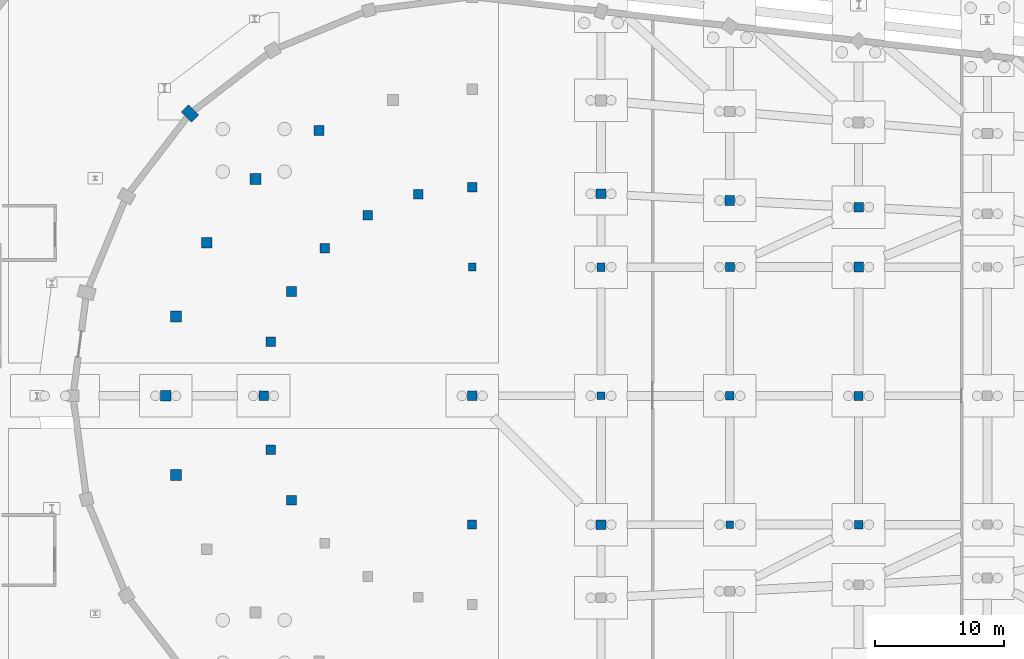
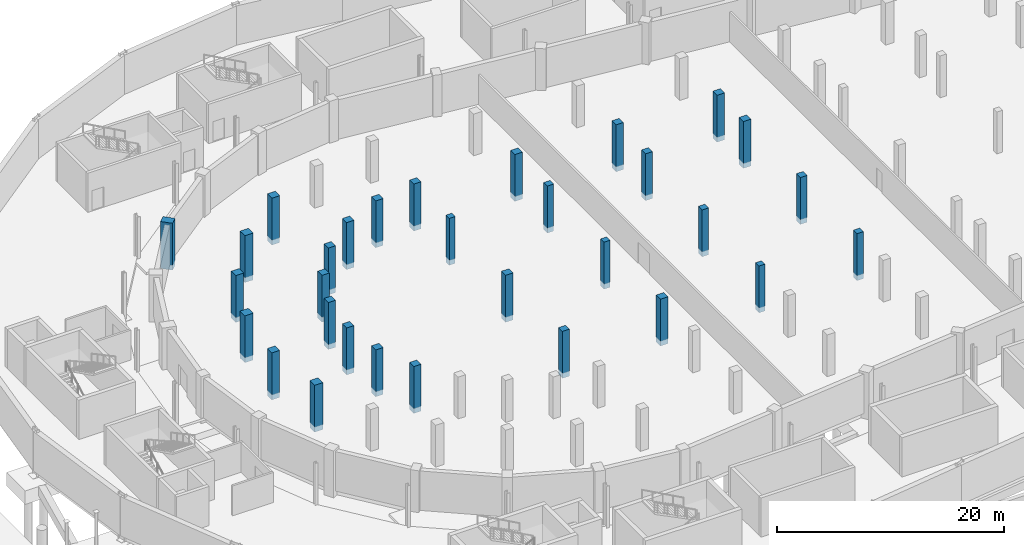
# One storey, part 22 of 55: 31 columns.
"""IFC4 building model written with IfcOpenShell, lengths in metres."""

import ifcopenshell
import ifcopenshell.guid

model = None  # the IFC model being written
_history = None  # IfcOwnerHistory: only IFC2X3 demands one
_inside = {}  # id of a spatial element -> (the spatial element, [elements in it])
_under = {}  # id of a project, library or spatial element -> (it, [spatial elements below it])
_declared = {}  # id of a project -> (the project, [libraries it declares])
_typed = {}  # id of a type object -> (the type object, [elements of that type])
_made_of = {}  # id of a material, layer set ... -> (it, [elements and type objects made of it])


def new_model(schema):
    """Start an empty IFC model of exactly this schema.

    Asked for "IFC4X3", IfcOpenShell would pick the latest addendum, in which some entities
    have other attributes; the version numbers below select the first issue.
    IFC2X3 requires an IfcOwnerHistory on every rooted entity: one is made here for all.
    """
    global model, _history
    if schema == "IFC4X3":
        model = ifcopenshell.file(schema_version=(4, 3, 0, 0))
    else:
        model = ifcopenshell.file(schema=schema)
    _inside.clear()
    _under.clear()
    _declared.clear()
    _typed.clear()
    _made_of.clear()
    _history = None
    if model.schema == "IFC2X3":
        org = make("IfcOrganization", Name="unknown")
        user = make(
            "IfcPersonAndOrganization",
            ThePerson=make("IfcPerson", FamilyName="unknown"),
            TheOrganization=org,
        )
        app = make(
            "IfcApplication",
            ApplicationDeveloper=org,
            Version="unknown",
            ApplicationFullName="unknown",
            ApplicationIdentifier="unknown",
        )
        _history = make(
            "IfcOwnerHistory",
            OwningUser=user,
            OwningApplication=app,
            ChangeAction="ADDED",
            CreationDate=0,
        )
    return model


def make(cls, **values):
    """One entity of the class cls with the attributes given. An attribute that is None is left unset."""
    return model.create_entity(
        cls, **{name: value for name, value in values.items() if value is not None}
    )


def rooted(cls, **values):
    """An entity with a GlobalId (a new one), such as an element, a storey or a relation."""
    return make(cls, GlobalId=ifcopenshell.guid.new(), OwnerHistory=_history, **values)


def si_unit(unit_type, name, prefix=None):
    """IfcSIUnit, for example si_unit("LENGTHUNIT", "METRE", prefix="MILLI")."""
    return make("IfcSIUnit", UnitType=unit_type, Prefix=prefix, Name=name)


def assignment(units):
    """IfcUnitAssignment: the units of a project."""
    return None if units is None else make("IfcUnitAssignment", Units=units)


def point(xyz):
    """IfcCartesianPoint."""
    return None if xyz is None else make("IfcCartesianPoint", Coordinates=xyz)


def direction(xyz):
    """IfcDirection."""
    return None if xyz is None else make("IfcDirection", DirectionRatios=xyz)


def frame(location, z_axis=None, x_axis=None):
    """IfcAxis2Placement3D, a coordinate frame: its origin and axes. An axis left out is left unset."""
    return make(
        "IfcAxis2Placement3D",
        Location=point(location),
        Axis=direction(z_axis),
        RefDirection=direction(x_axis),
    )


def frame_2d(location, x_axis=None):
    """IfcAxis2Placement2D, a coordinate frame in the plane: its origin and x axis."""
    return make(
        "IfcAxis2Placement2D", Location=point(location), RefDirection=direction(x_axis)
    )


def origin():
    """The frame at (0, 0, 0) with its axes left unset."""
    return frame((0.0, 0.0, 0.0))


def origin_2d():
    """The frame at (0, 0) in the plane with its x axis left unset."""
    return frame_2d((0.0, 0.0))


def place(relative_to, where):
    """IfcLocalPlacement: puts the frame where relative to a parent placement (None: the world)."""
    return make(
        "IfcLocalPlacement", PlacementRelTo=relative_to, RelativePlacement=where
    )


def context(
    kind, dimensions, precision=None, world=None, true_north=None, identifier=None
):
    """IfcGeometricRepresentationContext, for example the 3D "Model" context."""
    return make(
        "IfcGeometricRepresentationContext",
        ContextIdentifier=identifier,
        ContextType=kind,
        CoordinateSpaceDimension=dimensions,
        Precision=precision,
        WorldCoordinateSystem=world,
        TrueNorth=true_north,
    )


def subcontext(parent, identifier, kind, view, scale=None):
    """IfcGeometricRepresentationSubContext, for example "Body" below "Model"."""
    return make(
        "IfcGeometricRepresentationSubContext",
        ContextIdentifier=identifier,
        ContextType=kind,
        ParentContext=parent,
        TargetScale=scale,
        TargetView=view,
    )


def project(units=None, contexts=None):
    """IfcProject with its units and contexts."""
    return rooted(
        "IfcProject",
        Name="project",
        RepresentationContexts=contexts,
        UnitsInContext=assignment(units),
    )


def spatial(cls, under=None, at=None, **own):
    """A site, building, storey or space (cls), placed at a placement, below another one or the project."""
    s = rooted(cls, ObjectPlacement=at, **own)
    if under is not None:
        _under.setdefault(under.id(), (under, []))[1].append(s)
    return s


def profile(cls, at=None, kind="AREA", **sizes):
    """A parametric profile (cls). Its sizes go by their IFC names, for example OverallWidth=200.0."""
    return make(cls, ProfileType=kind, Position=at, **sizes)


def rectangle(**sizes):
    """IfcRectangleProfileDef."""
    return profile("IfcRectangleProfileDef", **sizes)


def extrude(swept, where, along, depth):
    """IfcExtrudedAreaSolid: the profile swept, set in the frame where, extruded along a direction by depth."""
    return make(
        "IfcExtrudedAreaSolid",
        SweptArea=swept,
        Position=where,
        ExtrudedDirection=direction(along),
        Depth=depth,
    )


def shape(context_of_items, identifier, shape_type, items):
    """IfcShapeRepresentation: the items that make up one representation, for example the "Body"."""
    return make(
        "IfcShapeRepresentation",
        ContextOfItems=context_of_items,
        RepresentationIdentifier=identifier,
        RepresentationType=shape_type,
        Items=items,
    )


def material(Name=None, Category=None):
    """IfcMaterial."""
    return make("IfcMaterial", Name=Name, Category=Category)


def material_profile(
    of_material, cross_section, Name=None, Category=None, Priority=None
):
    """IfcMaterialProfile: a cross section and its material."""
    return make(
        "IfcMaterialProfile",
        Name=Name,
        Material=of_material,
        Profile=cross_section,
        Priority=Priority,
        Category=Category,
    )


def profile_set(profiles, Name=None, composite=None):
    """IfcMaterialProfileSet."""
    return make(
        "IfcMaterialProfileSet",
        Name=Name,
        MaterialProfiles=profiles,
        CompositeProfile=composite,
    )


def made_of(thing, what):
    """Note that an element or type object is made of a material, layer set ...; save() writes the relation."""
    if what is not None:
        _made_of.setdefault(what.id(), (what, []))[1].append(thing)
    return thing


def type_object(cls, material=None, **own):
    """A type object (cls), such as IfcWallType, which elements share."""
    return made_of(rooted(cls, **own), material)


def element(
    cls,
    number,
    at=None,
    inside=None,
    cuts=None,
    type_object=None,
    material=None,
    context=None,
    identifier="Body",
    shape_type=None,
    held_by="IfcProductDefinitionShape",
    body=None,
    shapes=None,
    **own,
):
    """One element of the class cls, such as IfcWall. Its Tag is "e" and its number.

    at: its placement. inside: the storey or other place that contains it. cuts: it is an
    opening in that element (IfcRelVoidsElement). A single representation is given by context,
    identifier, shape_type and body (its items); several are given by shapes. held_by: the class
    of the entity that holds the representations. save() writes the other relations.
    """
    e = rooted(cls, Tag="e%d" % number, ObjectPlacement=at, **own)
    if body is not None:
        shapes = [shape(context, identifier, shape_type, body)]
    if shapes is not None:
        e.Representation = make(held_by, Representations=shapes)
    if inside is not None:
        _inside.setdefault(inside.id(), (inside, []))[1].append(e)
    if cuts is not None:
        rooted(
            "IfcRelVoidsElement", RelatingBuildingElement=cuts, RelatedOpeningElement=e
        )
    if type_object is not None:
        _typed.setdefault(type_object.id(), (type_object, []))[1].append(e)
    return made_of(e, material)


def aggregate(whole, parts):
    """IfcRelAggregates: a whole, such as a stair, and the parts it consists of."""
    return rooted("IfcRelAggregates", RelatingObject=whole, RelatedObjects=parts)


def save(model, path):
    """Write the relations noted so far, then the file.

    IfcRelAggregates (storeys below a building ...), IfcRelContainedInSpatialStructure (elements
    in a storey), IfcRelDefinesByType, IfcRelAssociatesMaterial and IfcRelDeclares: one each for
    every whole, place, type object, material and project.
    """
    for whole, parts in _under.values():
        aggregate(whole, parts)
    for where, things in _inside.values():
        rooted(
            "IfcRelContainedInSpatialStructure",
            RelatedElements=things,
            RelatingStructure=where,
        )
    for kind, things in _typed.values():
        rooted("IfcRelDefinesByType", RelatedObjects=things, RelatingType=kind)
    for what, things in _made_of.values():
        rooted("IfcRelAssociatesMaterial", RelatedObjects=things, RelatingMaterial=what)
    for by, libraries in _declared.values():
        rooted("IfcRelDeclares", RelatingContext=by, RelatedDefinitions=libraries)
    model.write(path)


model = new_model("IFC4")

# Units and contexts
model_context = context("Model", 3, precision=1e-05, world=origin(), true_north=direction((0.0, 1.0)))
body_context = subcontext(model_context, "Body", "Model", "MODEL_VIEW")
ifc_project = project(units=[si_unit("LENGTHUNIT", "METRE"), si_unit("AREAUNIT", "SQUARE_METRE"), si_unit("VOLUMEUNIT", "CUBIC_METRE"), si_unit("PLANEANGLEUNIT", "RADIAN"), si_unit("MASSUNIT", "GRAM", prefix="KILO")], contexts=[model_context])

# Site, building, storey
site_placement = place(None, origin())
site = spatial("IfcSite", under=ifc_project, at=site_placement, CompositionType="ELEMENT")
building_placement = place(site_placement, origin())
building = spatial("IfcBuilding", under=site, at=building_placement, Name="Sohan Crest Arena", CompositionType="ELEMENT")
storey_placement = place(building_placement, frame((0.0, 0.0, -4.5)))
storey = spatial("IfcBuildingStorey", under=building, at=storey_placement, Name="B1", CompositionType="ELEMENT", Elevation=-4.5)

# Columns
ifc_material = material(Name="Concrete C40/50", Category="concrete")
ifc_material_profile_1 = material_profile(ifc_material, rectangle(XDim=0.60009765625, YDim=0.60009765625, at=origin_2d()), Name="RC 600x600")
ifc_profile_set_1 = profile_set([ifc_material_profile_1], Name="Concrete C40/50")
column_type_1 = type_object("IfcColumnType", Name="STR-COL-C01", PredefinedType="COLUMN", material=ifc_profile_set_1)
for number, where, z_axis, x_axis, name in (
    (1, (98.0, 88.0, -0.550048828125), (0.0, 0.0, 1.0), (1.0, 0.0, 0.0), "Structural column COL-V1E-13-B1"),
    (2, (108.0, 78.0, -0.550048828125), (0.0, 0.0, 1.0), (1.0, 0.0, 0.0), "Structural column COL-V1E-22-B1"),
    (3, (118.0, 68.0, -0.550048828125), (0.0, 0.0, 1.0), (1.0, 0.0, 0.0), "Structural column COL-V1E-31-B1"),
):
    element("IfcColumn", number, at=place(storey_placement, frame(where, z_axis=z_axis, x_axis=x_axis)), inside=storey, type_object=column_type_1, Name=name, PredefinedType="COLUMN", context=body_context, shape_type="SweptSolid", body=[
        extrude(rectangle(XDim=0.60009765625, YDim=0.60009765625, at=origin_2d()), origin(), (0.0, 0.0, 1.0), 5.050048828125),
    ])
ifc_material_profile_2 = material_profile(ifc_material, rectangle(XDim=0.64990234375, YDim=0.64990234375, at=origin_2d()), Name="RC 650x650")
ifc_profile_set_2 = profile_set([ifc_material_profile_2], Name="Concrete C40/50")
column_type_2 = type_object("IfcColumnType", Name="STR-COL-C02", PredefinedType="COLUMN", material=ifc_profile_set_2)
for number, where, z_axis, x_axis, name in (
    (4, (108.0, 88.0, -0.550048828125), (0.0, 0.0, 1.0), (1.0, 0.0, 0.0), "Structural column COL-V1E-23-B1"),
    (5, (118.0, 78.0, -0.550048828125), (0.0, 0.0, 1.0), (1.0, 0.0, 0.0), "Structural column COL-V1E-32-B1"),
    (6, (128.0, 68.0, -0.550048828125), (0.0, 0.0, 1.0), (1.0, 0.0, 0.0), "Structural column COL-V1E-41-B1"),
):
    element("IfcColumn", number, at=place(storey_placement, frame(where, z_axis=z_axis, x_axis=x_axis)), inside=storey, type_object=column_type_2, Name=name, PredefinedType="COLUMN", context=body_context, shape_type="SweptSolid", body=[
        extrude(rectangle(XDim=0.64990234375, YDim=0.64990234375, at=origin_2d()), origin(), (0.0, 0.0, 1.0), 5.050048828125),
    ])
ifc_material_profile_3 = material_profile(ifc_material, rectangle(XDim=0.699951171875, YDim=0.699951171875, at=origin_2d()), Name="RC 700x700")
ifc_profile_set_3 = profile_set([ifc_material_profile_3], Name="Concrete C40/50")
column_type_3 = type_object("IfcColumnType", Name="STR-COL-C03", PredefinedType="COLUMN", material=ifc_profile_set_3)
for number, where, z_axis, x_axis, name in (
    (7, (98.0, 68.0, -0.550048828125), (0.0, 0.0, 1.0), (1.0, 0.0, 0.0), "Structural column COL-V1E-11-B1"),
    (8, (118.0, 88.0, -0.550048828125), (0.0, 0.0, 1.0), (1.0, 0.0, 0.0), "Structural column COL-V1E-33-B1"),
    (9, (128.0, 78.0, -0.550048828125), (0.0, 0.0, 1.0), (1.0, 0.0, 0.0), "Structural column COL-V1E-42-B1"),
):
    element("IfcColumn", number, at=place(storey_placement, frame(where, z_axis=z_axis, x_axis=x_axis)), inside=storey, type_object=column_type_3, Name=name, PredefinedType="COLUMN", context=body_context, shape_type="SweptSolid", body=[
        extrude(rectangle(XDim=0.699951171875, YDim=0.699951171875, at=origin_2d()), origin(), (0.0, 0.0, 1.0), 5.050048828125),
    ])
ifc_material_profile_4 = material_profile(ifc_material, rectangle(XDim=0.75, YDim=0.75, at=origin_2d()), Name="RC 750x750")
ifc_profile_set_4 = profile_set([ifc_material_profile_4], Name="Concrete C40/50")
column_type_4 = type_object("IfcColumnType", Name="STR-COL-C04", PredefinedType="COLUMN", material=ifc_profile_set_4)
for number, where, z_axis, x_axis, name in (
    (10, (98.0, 94.199951171875, -0.550048828125), (0.0, 0.0, 1.0), (1.0, 0.0, 0.0), "Structural column COL-V1I-01-B1"),
    (11, (93.806884765625, 93.64794921875, -0.550048828125), (0.0, 0.0, 1.0), (1.0, 0.0, 0.0), "Structural column COL-V1I-02-B1"),
    (12, (89.89990234375, 92.030029296875, -0.550048828125), (0.0, 0.0, 1.0), (1.0, 0.0, 0.0), "Structural column COL-V1I-03-B1"),
    (13, (86.544921875, 89.455078125, -0.550048828125), (0.0, 0.0, 1.0), (1.0, 0.0, 0.0), "Structural column COL-V1I-04-B1"),
    (14, (83.969970703125, 86.10009765625, -0.550048828125), (0.0, 0.0, 1.0), (1.0, 0.0, 0.0), "Structural column COL-V1I-05-B1"),
    (15, (82.35205078125, 82.193115234375, -0.550048828125), (0.0, 0.0, 1.0), (1.0, 0.0, 0.0), "Structural column COL-V1I-06-B1"),
    (16, (81.800048828125, 78.0, -0.550048828125), (0.0, 0.0, 1.0), (1.0, 0.0, 0.0), "Structural column COL-V1I-07-B1"),
    (17, (82.35205078125, 73.806884765625, -0.550048828125), (0.0, 0.0, 1.0), (1.0, 0.0, 0.0), "Structural column COL-V1I-08-B1"),
    (18, (83.969970703125, 69.89990234375, -0.550048828125), (0.0, 0.0, 1.0), (1.0, 0.0, 0.0), "Structural column COL-V1I-09-B1"),
    (19, (128.0, 92.656982421875, -0.550048828125), (0.0, 0.0, 1.0), (1.0, 0.0, 0.0), "Structural column COL-V1I-32-B1"),
    (20, (118.0, 93.1708984375, -0.550048828125), (0.0, 0.0, 1.0), (1.0, 0.0, 0.0), "Structural column COL-V1I-33-B1"),
    (21, (108.0, 93.68603515625, -0.550048828125), (0.0, 0.0, 1.0), (1.0, 0.0, 0.0), "Structural column COL-V1I-34-B1"),
    (22, (98.0, 78.0, -0.550048828125), (0.0, 0.0, 1.0), (1.0, 0.0, 0.0), "Structural column COL-V1E-12-B1"),
    (23, (108.0, 68.0, -0.550048828125), (0.0, 0.0, 1.0), (1.0, 0.0, 0.0), "Structural column COL-V1E-21-B1"),
    (24, (128.0, 88.0, -0.550048828125), (0.0, 0.0, 1.0), (1.0, 0.0, 0.0), "Structural column COL-V1E-43-B1"),
):
    element("IfcColumn", number, at=place(storey_placement, frame(where, z_axis=z_axis, x_axis=x_axis)), inside=storey, type_object=column_type_4, Name=name, PredefinedType="COLUMN", context=body_context, shape_type="SweptSolid", body=[
        extrude(rectangle(XDim=0.75, YDim=0.75, at=origin_2d()), origin(), (0.0, 0.0, 1.0), 5.050048828125),
    ])
ifc_material_profile_5 = material_profile(ifc_material, rectangle(XDim=0.800048828125, YDim=0.800048828125, at=origin_2d()), Name="RC 800x800")
ifc_profile_set_5 = profile_set([ifc_material_profile_5], Name="Concrete C40/50")
column_type_5 = type_object("IfcColumnType", Name="STR-COL-C05", PredefinedType="COLUMN", material=ifc_profile_set_5)
for number, where, z_axis, x_axis, name in (
    (25, (86.10009765625, 98.611083984375, -0.550048828125), (0.0, 0.0, 1.0), (1.0, 0.0, 0.0), "Structural column COL-V1M-03-B1"),
    (26, (77.388916015625, 89.89990234375, -0.550048828125), (0.0, 0.0, 1.0), (1.0, 0.0, 0.0), "Structural column COL-V1M-05-B1"),
    (27, (74.199951171875, 78.0, -0.550048828125), (0.0, 0.0, 1.0), (1.0, 0.0, 0.0), "Structural column COL-V1M-07-B1"),
):
    element("IfcColumn", number, at=place(storey_placement, frame(where, z_axis=z_axis, x_axis=x_axis)), inside=storey, type_object=column_type_5, Name=name, PredefinedType="COLUMN", context=body_context, shape_type="SweptSolid", body=[
        extrude(rectangle(XDim=0.800048828125, YDim=0.800048828125, at=origin_2d()), origin(), (0.0, 0.0, 1.0), 5.050048828125),
    ])
ifc_material_profile_6 = material_profile(ifc_material, rectangle(XDim=0.85009765625, YDim=0.85009765625, at=origin_2d()), Name="RC 850x850")
ifc_profile_set_6 = profile_set([ifc_material_profile_6], Name="Concrete C40/50")
column_type_6 = type_object("IfcColumnType", Name="STR-COL-C06", PredefinedType="COLUMN", material=ifc_profile_set_6)
for number, where, z_axis, x_axis, name in (
    (28, (81.1708984375, 94.8291015625, -0.550048828125), (0.0, 0.0, 1.0), (1.0, 0.0, 0.0), "Structural column COL-V1M-04-B1"),
    (29, (75.010986328125, 84.159912109375, -0.550048828125), (0.0, 0.0, 1.0), (1.0, 0.0, 0.0), "Structural column COL-V1M-06-B1"),
    (30, (75.010986328125, 71.840087890625, -0.550048828125), (0.0, 0.0, 1.0), (1.0, 0.0, 0.0), "Structural column COL-V1M-08-B1"),
):
    element("IfcColumn", number, at=place(storey_placement, frame(where, z_axis=z_axis, x_axis=x_axis)), inside=storey, type_object=column_type_6, Name=name, PredefinedType="COLUMN", context=body_context, shape_type="SweptSolid", body=[
        extrude(rectangle(XDim=0.85009765625, YDim=0.85009765625, at=origin_2d()), origin(), (0.0, 0.0, 1.0), 5.050048828125),
    ])
ifc_material_profile_7 = material_profile(ifc_material, rectangle(XDim=1.10009765625, YDim=0.800048828125, at=origin_2d()), Name="RC 1100x800")
ifc_profile_set_7 = profile_set([ifc_material_profile_7], Name="Concrete C40/50")
column_type_7 = type_object("IfcColumnType", Name="STR-COL-C10", PredefinedType="COLUMN", material=ifc_profile_set_7)
column_placement = place(storey_placement, frame((76.080078125, 99.919921875, -0.550048828125), z_axis=(0.0, 0.0, 1.0), x_axis=(-0.707106781187, 0.707106781187, 0.0)))
element("IfcColumn", 31, at=column_placement, inside=storey, type_object=column_type_7, Name="Structural column COL-V1R-04-B1", PredefinedType="COLUMN", context=body_context, shape_type="SweptSolid", body=[
    extrude(rectangle(XDim=1.10009765625, YDim=0.800048828125, at=origin_2d()), origin(), (0.0, 0.0, 1.0), 5.050048828125),
])

save(model, "model.ifc")
